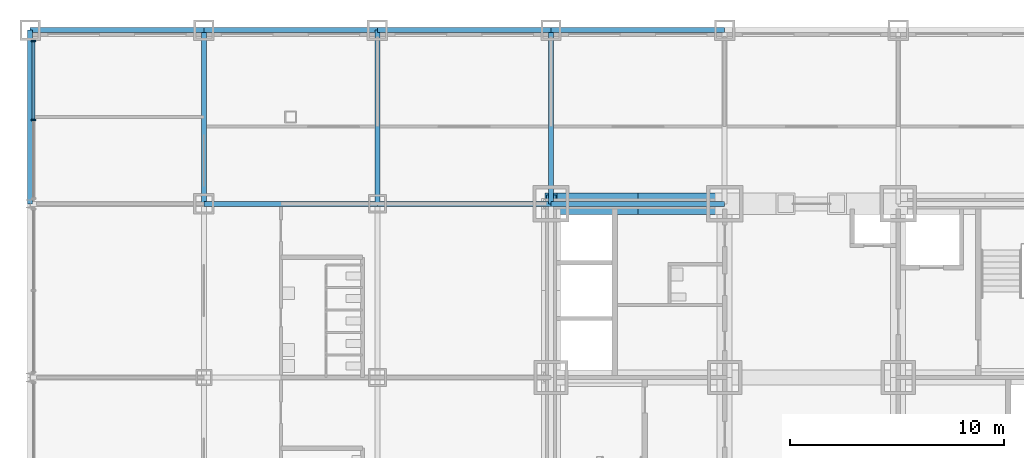
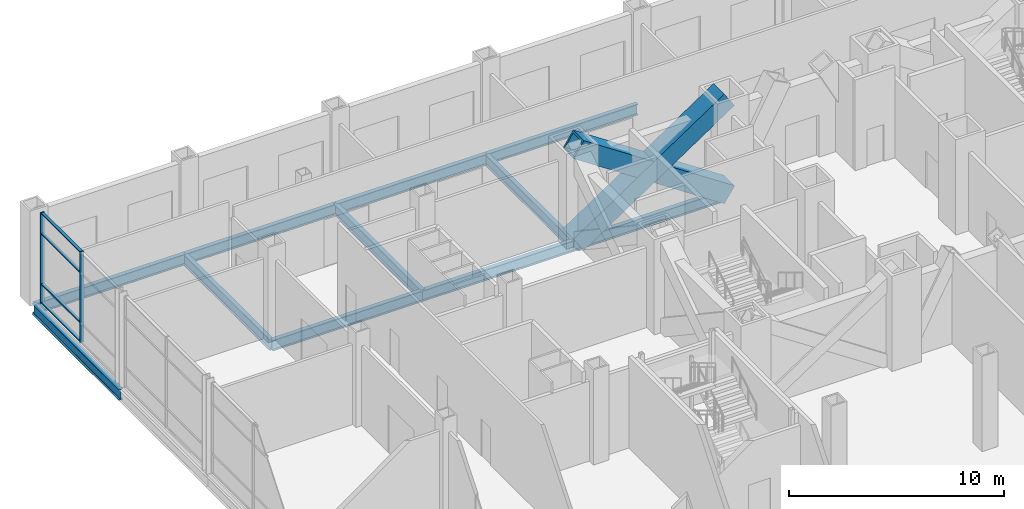
# One storey, part 15 of 30: 11 beams, 8 members, 1 element without a shape of its own.
"""IFC4 building model written with IfcOpenShell, lengths in metres."""

from ifc_helpers import new_model, si_unit, direction, frame, origin, origin_2d, place, context, subcontext, project, spatial, rectangle, hollow_rectangle, i_section, extrude, material, material_profile, profile_set, type_object, element, aggregate, save


model = new_model("IFC4")

# Units and contexts
model_context = context("Model", 3, precision=1e-05, world=origin(), true_north=direction((0.0, 1.0)))
body_context = subcontext(model_context, "Body", "Model", "MODEL_VIEW")
ifc_project = project(units=[si_unit("LENGTHUNIT", "METRE"), si_unit("AREAUNIT", "SQUARE_METRE"), si_unit("VOLUMEUNIT", "CUBIC_METRE"), si_unit("PLANEANGLEUNIT", "RADIAN"), si_unit("MASSUNIT", "GRAM", prefix="KILO")], contexts=[model_context])

# Site, building, storey
site_placement = place(None, origin())
site = spatial("IfcSite", under=ifc_project, at=site_placement, CompositionType="ELEMENT")
building_placement = place(site_placement, origin())
building = spatial("IfcBuilding", under=site, at=building_placement, Name="Kopane Lantern Tower", CompositionType="ELEMENT")
storey_placement = place(building_placement, frame((0.0, 0.0, 6.0)))
storey = spatial("IfcBuildingStorey", under=building, at=storey_placement, Name="L01", CompositionType="ELEMENT", Elevation=6.0)

# Members
ifc_material_1 = material(Name="Steel S355JR", Category="steel")
ifc_material_profile_1 = material_profile(ifc_material_1, hollow_rectangle(XDim=1.0, YDim=1.0, WallThickness=0.10009765625, at=origin_2d()), Name="BOX 1000x1000x100")
ifc_profile_set_1 = profile_set([ifc_material_profile_1], Name="Steel S355JR")
member_type_1 = type_object("IfcMemberType", Name="BRACE BOX 1000x1000x100", PredefinedType="BRACE", material=ifc_profile_set_1)
for number, where, z_axis, x_axis, name in (
    (1, (16.199951171875, 40.5, -0.25), (0.832058010752, 0.0, 0.55468862143), (0.0, 1.0, 0.0), "Core brace L01"),
    (2, (24.300048828125, 40.5, -0.25), (-0.832058010752, 0.0, 0.55468862143), (0.0, -1.0, 0.0), "Core brace L01"),
):
    element("IfcMember", number, at=place(storey_placement, frame(where, z_axis=z_axis, x_axis=x_axis)), inside=storey, type_object=member_type_1, Name=name, PredefinedType="BRACE", context=body_context, shape_type="SweptSolid", body=[
        extrude(hollow_rectangle(XDim=1.0, YDim=1.0, WallThickness=0.10009765625, at=origin_2d()), origin(), (0.0, 0.0, 1.0), 9.735107421875),
    ])

# Beams
ifc_material_2 = material(Name="Steel S355JR", Category="steel")
ifc_material_profile_2 = material_profile(ifc_material_2, i_section(OverallWidth=0.22900390625, OverallDepth=0.6123046875, WebThickness=0.011962890625, FlangeThickness=0.01953125, FilletRadius=0.0126953125, at=origin_2d()), Name="UB 610x229x125")
ifc_profile_set_2 = profile_set([ifc_material_profile_2], Name="Steel S355JR")
beam_type = type_object("IfcBeamType", Name="GIRDER UB 610x229x125", PredefinedType="BEAM", material=ifc_profile_set_2)
for number, where, z_axis, x_axis, name in (
    (3, (-8.10009765625, 40.5, -0.55615234375), (0.0, 1.0, 0.0), (-1.0, 0.0, 0.0), "Girder L01"),
    (4, (-8.10009765625, 48.60009765625, -0.55615234375), (1.0, 0.0, 0.0), (0.0, 1.0, 0.0), "Girder L01"),
    (5, (0.0, 40.5, -0.55615234375), (0.0, 1.0, 0.0), (-1.0, 0.0, 0.0), "Girder L01"),
    (6, (0.0, 40.5, -0.55615234375), (1.0, 0.0, 0.0), (0.0, 1.0, 0.0), "Girder L01"),
    (7, (0.0, 48.60009765625, -0.55615234375), (1.0, 0.0, 0.0), (0.0, 1.0, 0.0), "Girder L01"),
    (8, (8.10009765625, 40.5, -0.55615234375), (0.0, 1.0, 0.0), (-1.0, 0.0, 0.0), "Girder L01"),
):
    element("IfcBeam", number, at=place(storey_placement, frame(where, z_axis=z_axis, x_axis=x_axis)), inside=storey, type_object=beam_type, Name=name, PredefinedType="BEAM", context=body_context, shape_type="SweptSolid", body=[
        extrude(i_section(OverallWidth=0.22900390625, OverallDepth=0.6123046875, WebThickness=0.011962890625, FlangeThickness=0.01953125, FilletRadius=0.0126953125, at=origin_2d()), origin(), (0.0, 0.0, 1.0), 8.10009765625),
    ])
for number, where, z_axis, x_axis, name in (
    (9, (8.10009765625, 40.5, -0.55615234375), (1.0, 0.0, 0.0), (0.0, 1.0, 0.0), "Girder L01"),
    (10, (8.10009765625, 48.60009765625, -0.55615234375), (1.0, 0.0, 0.0), (0.0, 1.0, 0.0), "Girder L01"),
):
    element("IfcBeam", number, at=place(storey_placement, frame(where, z_axis=z_axis, x_axis=x_axis)), inside=storey, type_object=beam_type, Name=name, PredefinedType="BEAM", context=body_context, shape_type="SweptSolid", body=[
        extrude(i_section(OverallWidth=0.22900390625, OverallDepth=0.6123046875, WebThickness=0.011962890625, FlangeThickness=0.01953125, FilletRadius=0.0126953125, at=origin_2d()), origin(), (0.0, 0.0, 1.0), 8.099853515625),
    ])
for number, where, z_axis, x_axis, name in (
    (11, (16.199951171875, 40.5, -0.55615234375), (0.0, 1.0, 0.0), (-1.0, 0.0, 0.0), "Girder L01"),
    (12, (16.199951171875, 40.5, -0.55615234375), (1.0, 0.0, 0.0), (0.0, 1.0, 0.0), "Girder L01"),
    (13, (16.199951171875, 48.60009765625, -0.55615234375), (1.0, 0.0, 0.0), (0.0, 1.0, 0.0), "Girder L01"),
):
    element("IfcBeam", number, at=place(storey_placement, frame(where, z_axis=z_axis, x_axis=x_axis)), inside=storey, type_object=beam_type, Name=name, PredefinedType="BEAM", context=body_context, shape_type="SweptSolid", body=[
        extrude(i_section(OverallWidth=0.22900390625, OverallDepth=0.6123046875, WebThickness=0.011962890625, FlangeThickness=0.01953125, FilletRadius=0.0126953125, at=origin_2d()), origin(), (0.0, 0.0, 1.0), 8.10009765625),
    ])

# Curtain wall, members
ifc_material_3 = material(Name="Aluminium and clear glass", Category="aluminium")
curtain_wall_type = type_object("IfcCurtainWallType", Name="CURTAIN WALL CW1 PODIUM STOREFRONT", PredefinedType="USERDEFINED", material=ifc_material_3)
curtain_wall_placement = place(storey_placement, origin())
curtain_wall = element("IfcCurtainWall", 14, at=curtain_wall_placement, inside=storey, type_object=curtain_wall_type, Name="Curtain wall CW1 W L01", ObjectType="CURTAIN WALL", PredefinedType="USERDEFINED")
ifc_material_4 = material(Name="Aluminium", Category="aluminium")
ifc_material_profile_3 = material_profile(ifc_material_4, rectangle(XDim=0.06494140625, YDim=0.199951171875, at=origin_2d()), Name="AL 65x200")
ifc_profile_set_3 = profile_set([ifc_material_profile_3], Name="Aluminium")
member_type_2 = type_object("IfcMemberType", Name="MULLION CW1-M 65x200", PredefinedType="MULLION", material=ifc_profile_set_3)
member_1_placement = place(storey_placement, frame((-7.949951171875, 48.08740234375, 0.0), z_axis=(0.0, 0.0, 1.0), x_axis=(0.0, -1.0, 0.0)))
member_1 = element("IfcMember", 15, at=member_1_placement, type_object=member_type_2, Name="CW1 mullion 1", PredefinedType="MULLION", context=body_context, shape_type="SweptSolid", body=[
    extrude(rectangle(XDim=0.06494140625, YDim=0.199951171875, at=origin_2d()), origin(), (0.0, 0.0, 1.0), 5.14990234375),
])
member_2_placement = place(storey_placement, frame((-7.949951171875, 44.4140625, 0.0), z_axis=(0.0, 0.0, 1.0), x_axis=(0.0, -1.0, 0.0)))
member_2 = element("IfcMember", 16, at=member_2_placement, type_object=member_type_2, Name="CW1 mullion 2", PredefinedType="MULLION", context=body_context, shape_type="SweptSolid", body=[
    extrude(rectangle(XDim=0.06494140625, YDim=0.199951171875, at=origin_2d()), origin(), (0.0, 0.0, 1.0), 5.14990234375),
])
ifc_material_5 = material(Name="Aluminium", Category="aluminium")
ifc_material_profile_4 = material_profile(ifc_material_5, rectangle(XDim=0.14990234375, YDim=0.06494140625, at=origin_2d()), Name="AL 150x65")
ifc_profile_set_4 = profile_set([ifc_material_profile_4], Name="Aluminium")
member_type_3 = type_object("IfcMemberType", Name="TRANSOM CW1-T 65x150", PredefinedType="USERDEFINED", material=ifc_profile_set_4)
member_3_placement = place(storey_placement, frame((-7.949951171875, 48.054931640625, 0.032470703125), z_axis=(0.0, -1.0, 0.0), x_axis=(1.0, 0.0, 0.0)))
member_3 = element("IfcMember", 17, at=member_3_placement, type_object=member_type_3, Name="CW1 transom 1.1", ObjectType="TRANSOM", PredefinedType="USERDEFINED", context=body_context, shape_type="SweptSolid", body=[
    extrude(rectangle(XDim=0.14990234375, YDim=0.06494140625, at=origin_2d()), origin(), (0.0, 0.0, 1.0), 3.6083984375),
])
member_4_placement = place(storey_placement, frame((-7.949951171875, 48.054931640625, 1.10009765625), z_axis=(0.0, -1.0, 0.0), x_axis=(1.0, 0.0, 0.0)))
member_4 = element("IfcMember", 18, at=member_4_placement, type_object=member_type_3, Name="CW1 transom 1.2", ObjectType="TRANSOM", PredefinedType="USERDEFINED", context=body_context, shape_type="SweptSolid", body=[
    extrude(rectangle(XDim=0.14990234375, YDim=0.06494140625, at=origin_2d()), origin(), (0.0, 0.0, 1.0), 3.6083984375),
])
member_5_placement = place(storey_placement, frame((-7.949951171875, 48.054931640625, 3.949951171875), z_axis=(0.0, -1.0, 0.0), x_axis=(1.0, 0.0, 0.0)))
member_5 = element("IfcMember", 19, at=member_5_placement, type_object=member_type_3, Name="CW1 transom 1.3", ObjectType="TRANSOM", PredefinedType="USERDEFINED", context=body_context, shape_type="SweptSolid", body=[
    extrude(rectangle(XDim=0.14990234375, YDim=0.06494140625, at=origin_2d()), origin(), (0.0, 0.0, 1.0), 3.6083984375),
])
member_6_placement = place(storey_placement, frame((-7.949951171875, 48.054931640625, 5.117431640625), z_axis=(0.0, -1.0, 0.0), x_axis=(1.0, 0.0, 0.0)))
member_6 = element("IfcMember", 20, at=member_6_placement, type_object=member_type_3, Name="CW1 transom 1.4", ObjectType="TRANSOM", PredefinedType="USERDEFINED", context=body_context, shape_type="SweptSolid", body=[
    extrude(rectangle(XDim=0.14990234375, YDim=0.06494140625, at=origin_2d()), origin(), (0.0, 0.0, 1.0), 3.6083984375),
])
aggregate(curtain_wall, [member_1, member_2, member_3, member_4, member_5, member_6])

save(model, "model.ifc")
